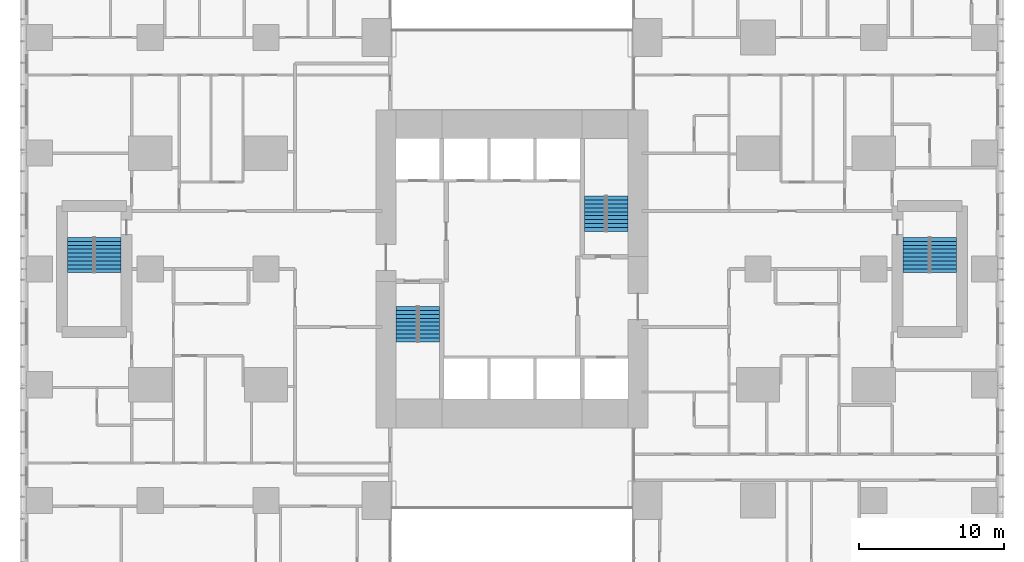
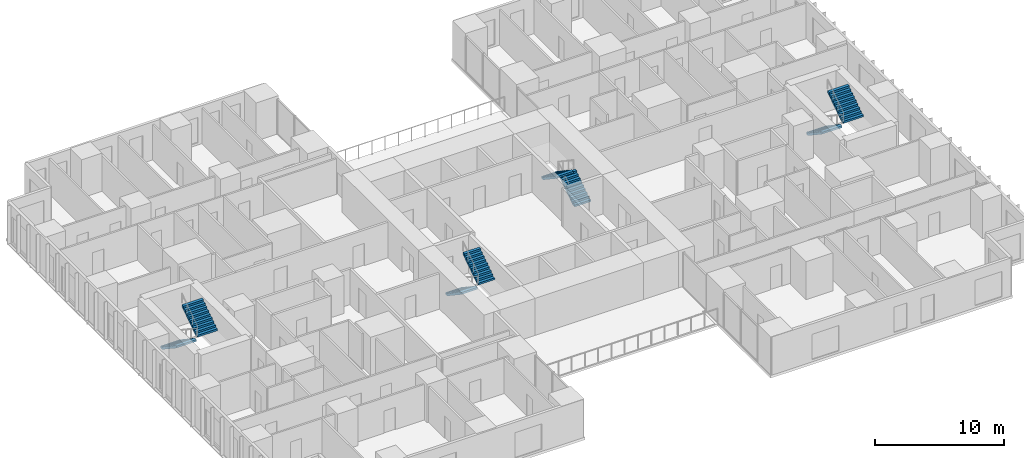
# One storey, part 19 of 20: 8 stair flights, 4 elements without a shape of their own.
"""IFC4 building model written with IfcOpenShell, lengths in metres."""

from ifc_helpers import new_model, si_unit, direction, frame, origin, place, context, subcontext, project, spatial, polyline, outline, extrude, material, type_object, element, aggregate, save


model = new_model("IFC4")

# Units and contexts
model_context = context("Model", 3, precision=1e-05, world=origin(), true_north=direction((0.0, 1.0)))
body_context = subcontext(model_context, "Body", "Model", "MODEL_VIEW")
ifc_project = project(units=[si_unit("LENGTHUNIT", "METRE"), si_unit("AREAUNIT", "SQUARE_METRE"), si_unit("VOLUMEUNIT", "CUBIC_METRE"), si_unit("PLANEANGLEUNIT", "RADIAN"), si_unit("MASSUNIT", "GRAM", prefix="KILO")], contexts=[model_context])

# Site, building, storey
site_placement = place(None, origin())
site = spatial("IfcSite", under=ifc_project, at=site_placement, CompositionType="ELEMENT")
building_placement = place(site_placement, origin())
building = spatial("IfcBuilding", under=site, at=building_placement, Name="Cleftline Residences", CompositionType="ELEMENT")
storey_placement = place(building_placement, frame((0.0, 0.0, 182.199951171875)))
storey = spatial("IfcBuildingStorey", under=building, at=storey_placement, Name="L47", CompositionType="ELEMENT", Elevation=182.199951171875)

# Stair, stair flights
ifc_material_1 = material(Name="Concrete B45, stone treads", Category="masonry")
stair_type_1 = type_object("IfcStairType", Name="STAIR A 1450 WIDE 180 RISER", PredefinedType="HALF_TURN_STAIR", material=ifc_material_1)
stair_1_placement = place(storey_placement, origin())
stair_1 = element("IfcStair", 1, at=stair_1_placement, inside=storey, type_object=stair_type_1, Name="Stair A L47", PredefinedType="HALF_TURN_STAIR")
ifc_material_2 = material(Name="Concrete B45", Category="concrete")
stair_flight_type_1 = type_object("IfcStairFlightType", Name="STAIR A FLIGHT 1450X180", PredefinedType="STRAIGHT", material=ifc_material_2)
stair_flight_1_placement = place(storey_placement, frame((25.72509765625, 21.39990234375, 0.0), z_axis=(0.0, 0.0, 1.0), x_axis=(0.0, -1.0, 0.0)))
stair_flight_1 = element("IfcStairFlight", 2, at=stair_flight_1_placement, type_object=stair_flight_type_1, Name="ST-A flight 1", NumberOfRisers=10, NumberOfTreads=9, PredefinedType="STRAIGHT", RiserHeight=0.18, TreadLength=0.27, context=body_context, shape_type="SweptSolid", body=[
    extrude(outline(polyline([(0.0, 0.0), (0.0, 0.013916015625), (0.0, 0.027587890625), (0.0, 0.04150390625), (0.0, 0.055419921875), (0.0, 0.0693359375), (0.0, 0.0830078125), (0.0, 0.096923828125), (0.0, 0.11083984375), (0.0, 0.12451171875), (0.0, 0.138427734375), (0.0, 0.15234375), (0.0, 0.166259765625), (0.0, 0.179931640625), (0.27001953125, 0.179931640625), (0.27001953125, 0.360107421875), (0.5400390625, 0.360107421875), (0.5400390625, 0.5400390625), (0.81005859375, 0.5400390625), (0.81005859375, 0.719970703125), (1.080078125, 0.719970703125), (1.080078125, 0.89990234375), (1.35009765625, 0.89990234375), (1.35009765625, 1.080078125), (1.6201171875, 1.080078125), (1.6201171875, 1.260009765625), (1.889892578125, 1.260009765625), (1.889892578125, 1.43994140625), (2.159912109375, 1.43994140625), (2.159912109375, 1.6201171875), (2.429931640625, 1.6201171875), (2.429931640625, 1.800048828125), (2.429931640625, 1.772216796875), (2.429931640625, 1.74462890625), (2.429931640625, 1.716796875), (2.429931640625, 1.689208984375), (2.429931640625, 1.661376953125), (2.429931640625, 1.6337890625), (2.429931640625, 1.60595703125), (2.429931640625, 1.578369140625), (2.429931640625, 1.550537109375), (2.429931640625, 1.52294921875), (2.429931640625, 1.495361328125), (2.429931640625, 1.467529296875), (2.429931640625, 1.43994140625), (0.270263671875, 0.0), (0.0, 0.0)])), frame((0.0, 0.72509765625, 0.0), z_axis=(0.0, -1.0, 0.0), x_axis=(1.0, 0.0, 0.0)), (0.0, 0.0, 1.0), 1.449951171875),
])
stair_flight_2_placement = place(storey_placement, frame((27.27490234375, 18.969970703125, 1.800048828125), z_axis=(0.0, 0.0, 1.0), x_axis=(0.0, 1.0, 0.0)))
stair_flight_2 = element("IfcStairFlight", 3, at=stair_flight_2_placement, type_object=stair_flight_type_1, Name="ST-A flight 2", NumberOfRisers=10, NumberOfTreads=9, PredefinedType="STRAIGHT", RiserHeight=0.18, TreadLength=0.27, context=body_context, shape_type="SweptSolid", body=[
    extrude(outline(polyline([(0.0, 0.0), (0.0, 0.013916015625), (0.0, 0.027587890625), (0.0, 0.04150390625), (0.0, 0.055419921875), (0.0, 0.0693359375), (0.0, 0.0830078125), (0.0, 0.096923828125), (0.0, 0.11083984375), (0.0, 0.12451171875), (0.0, 0.138427734375), (0.0, 0.15234375), (0.0, 0.166259765625), (0.0, 0.179931640625), (0.27001953125, 0.179931640625), (0.27001953125, 0.360107421875), (0.5400390625, 0.360107421875), (0.5400390625, 0.5400390625), (0.81005859375, 0.5400390625), (0.81005859375, 0.719970703125), (1.080078125, 0.719970703125), (1.080078125, 0.89990234375), (1.35009765625, 0.89990234375), (1.35009765625, 1.080078125), (1.6201171875, 1.080078125), (1.6201171875, 1.260009765625), (1.889892578125, 1.260009765625), (1.889892578125, 1.43994140625), (2.159912109375, 1.43994140625), (2.159912109375, 1.6201171875), (2.429931640625, 1.6201171875), (2.429931640625, 1.800048828125), (2.429931640625, 1.772216796875), (2.429931640625, 1.74462890625), (2.429931640625, 1.716796875), (2.429931640625, 1.689208984375), (2.429931640625, 1.661376953125), (2.429931640625, 1.6337890625), (2.429931640625, 1.60595703125), (2.429931640625, 1.578369140625), (2.429931640625, 1.550537109375), (2.429931640625, 1.52294921875), (2.429931640625, 1.495361328125), (2.429931640625, 1.467529296875), (2.429931640625, 1.43994140625), (0.270263671875, 0.0), (0.0, 0.0)])), frame((0.0, 0.72509765625, 0.0), z_axis=(0.0, -1.0, 0.0), x_axis=(1.0, 0.0, 0.0)), (0.0, 0.0, 1.0), 1.449951171875),
])
aggregate(stair_1, [stair_flight_1, stair_flight_2])

ifc_material_3 = material(Name="Concrete B45, stone treads", Category="masonry")
stair_type_2 = type_object("IfcStairType", Name="STAIR B 1450 WIDE 180 RISER", PredefinedType="HALF_TURN_STAIR", material=ifc_material_3)
stair_2_placement = place(storey_placement, origin())
stair_2 = element("IfcStair", 4, at=stair_2_placement, inside=storey, type_object=stair_type_2, Name="Stair B L47", PredefinedType="HALF_TURN_STAIR")
ifc_material_4 = material(Name="Concrete B45", Category="concrete")
stair_flight_type_2 = type_object("IfcStairFlightType", Name="STAIR B FLIGHT 1450X180", PredefinedType="STRAIGHT", material=ifc_material_4)
stair_flight_3_placement = place(storey_placement, frame((40.27490234375, 26.60009765625, 0.0), z_axis=(0.0, 0.0, 1.0), x_axis=(0.0, 1.0, 0.0)))
stair_flight_3 = element("IfcStairFlight", 5, at=stair_flight_3_placement, type_object=stair_flight_type_2, Name="ST-B flight 1", NumberOfRisers=10, NumberOfTreads=9, PredefinedType="STRAIGHT", RiserHeight=0.18, TreadLength=0.27, context=body_context, shape_type="SweptSolid", body=[
    extrude(outline(polyline([(0.0, 0.0), (0.0, 0.013916015625), (0.0, 0.027587890625), (0.0, 0.04150390625), (0.0, 0.055419921875), (0.0, 0.0693359375), (0.0, 0.0830078125), (0.0, 0.096923828125), (0.0, 0.11083984375), (0.0, 0.12451171875), (0.0, 0.138427734375), (0.0, 0.15234375), (0.0, 0.166259765625), (0.0, 0.179931640625), (0.27001953125, 0.179931640625), (0.27001953125, 0.360107421875), (0.5400390625, 0.360107421875), (0.5400390625, 0.5400390625), (0.81005859375, 0.5400390625), (0.81005859375, 0.719970703125), (1.080078125, 0.719970703125), (1.080078125, 0.89990234375), (1.35009765625, 0.89990234375), (1.35009765625, 1.080078125), (1.6201171875, 1.080078125), (1.6201171875, 1.260009765625), (1.889892578125, 1.260009765625), (1.889892578125, 1.43994140625), (2.159912109375, 1.43994140625), (2.159912109375, 1.6201171875), (2.429931640625, 1.6201171875), (2.429931640625, 1.800048828125), (2.429931640625, 1.772216796875), (2.429931640625, 1.74462890625), (2.429931640625, 1.716796875), (2.429931640625, 1.689208984375), (2.429931640625, 1.661376953125), (2.429931640625, 1.6337890625), (2.429931640625, 1.60595703125), (2.429931640625, 1.578369140625), (2.429931640625, 1.550537109375), (2.429931640625, 1.52294921875), (2.429931640625, 1.495361328125), (2.429931640625, 1.467529296875), (2.429931640625, 1.43994140625), (0.270263671875, 0.0), (0.0, 0.0)])), frame((0.0, 0.72509765625, 0.0), z_axis=(0.0, -1.0, 0.0), x_axis=(1.0, 0.0, 0.0)), (0.0, 0.0, 1.0), 1.449951171875),
])
stair_flight_4_placement = place(storey_placement, frame((38.72509765625, 29.030029296875, 1.800048828125), z_axis=(0.0, 0.0, 1.0), x_axis=(0.0, -1.0, 0.0)))
stair_flight_4 = element("IfcStairFlight", 6, at=stair_flight_4_placement, type_object=stair_flight_type_2, Name="ST-B flight 2", NumberOfRisers=10, NumberOfTreads=9, PredefinedType="STRAIGHT", RiserHeight=0.18, TreadLength=0.27, context=body_context, shape_type="SweptSolid", body=[
    extrude(outline(polyline([(0.0, 0.0), (0.0, 0.013916015625), (0.0, 0.027587890625), (0.0, 0.04150390625), (0.0, 0.055419921875), (0.0, 0.0693359375), (0.0, 0.0830078125), (0.0, 0.096923828125), (0.0, 0.11083984375), (0.0, 0.12451171875), (0.0, 0.138427734375), (0.0, 0.15234375), (0.0, 0.166259765625), (0.0, 0.179931640625), (0.27001953125, 0.179931640625), (0.27001953125, 0.360107421875), (0.5400390625, 0.360107421875), (0.5400390625, 0.5400390625), (0.81005859375, 0.5400390625), (0.81005859375, 0.719970703125), (1.080078125, 0.719970703125), (1.080078125, 0.89990234375), (1.35009765625, 0.89990234375), (1.35009765625, 1.080078125), (1.6201171875, 1.080078125), (1.6201171875, 1.260009765625), (1.889892578125, 1.260009765625), (1.889892578125, 1.43994140625), (2.159912109375, 1.43994140625), (2.159912109375, 1.6201171875), (2.429931640625, 1.6201171875), (2.429931640625, 1.800048828125), (2.429931640625, 1.772216796875), (2.429931640625, 1.74462890625), (2.429931640625, 1.716796875), (2.429931640625, 1.689208984375), (2.429931640625, 1.661376953125), (2.429931640625, 1.6337890625), (2.429931640625, 1.60595703125), (2.429931640625, 1.578369140625), (2.429931640625, 1.550537109375), (2.429931640625, 1.52294921875), (2.429931640625, 1.495361328125), (2.429931640625, 1.467529296875), (2.429931640625, 1.43994140625), (0.270263671875, 0.0), (0.0, 0.0)])), frame((0.0, 0.72509765625, 0.0), z_axis=(0.0, -1.0, 0.0), x_axis=(1.0, 0.0, 0.0)), (0.0, 0.0, 1.0), 1.449951171875),
])
aggregate(stair_2, [stair_flight_3, stair_flight_4])

ifc_material_5 = material(Name="Concrete B45, stone treads", Category="masonry")
stair_type_3 = type_object("IfcStairType", Name="STAIR E 1800 WIDE 180 RISER", PredefinedType="HALF_TURN_STAIR", material=ifc_material_5)
stair_3_placement = place(storey_placement, origin())
stair_3 = element("IfcStair", 7, at=stair_3_placement, inside=storey, type_object=stair_type_3, Name="Stair E L47", PredefinedType="HALF_TURN_STAIR")
ifc_material_6 = material(Name="Concrete B45", Category="concrete")
stair_flight_type_3 = type_object("IfcStairFlightType", Name="STAIR E FLIGHT 1800X180", PredefinedType="STRAIGHT", material=ifc_material_6)
stair_flight_5_placement = place(storey_placement, frame((60.925048828125, 26.175048828125, 0.0), z_axis=(0.0, 0.0, 1.0), x_axis=(0.0, -1.0, 0.0)))
stair_flight_5 = element("IfcStairFlight", 8, at=stair_flight_5_placement, type_object=stair_flight_type_3, Name="ST-E flight 1", NumberOfRisers=10, NumberOfTreads=9, PredefinedType="STRAIGHT", RiserHeight=0.18, TreadLength=0.27, context=body_context, shape_type="SweptSolid", body=[
    extrude(outline(polyline([(0.0, 0.0), (0.0, 0.013916015625), (0.0, 0.027587890625), (0.0, 0.04150390625), (0.0, 0.055419921875), (0.0, 0.0693359375), (0.0, 0.0830078125), (0.0, 0.096923828125), (0.0, 0.11083984375), (0.0, 0.12451171875), (0.0, 0.138427734375), (0.0, 0.15234375), (0.0, 0.166259765625), (0.0, 0.179931640625), (0.27001953125, 0.179931640625), (0.27001953125, 0.360107421875), (0.5400390625, 0.360107421875), (0.5400390625, 0.5400390625), (0.81005859375, 0.5400390625), (0.81005859375, 0.719970703125), (1.080078125, 0.719970703125), (1.080078125, 0.89990234375), (1.35009765625, 0.89990234375), (1.35009765625, 1.080078125), (1.6201171875, 1.080078125), (1.6201171875, 1.260009765625), (1.889892578125, 1.260009765625), (1.889892578125, 1.43994140625), (2.159912109375, 1.43994140625), (2.159912109375, 1.6201171875), (2.429931640625, 1.6201171875), (2.429931640625, 1.800048828125), (2.429931640625, 1.772216796875), (2.429931640625, 1.74462890625), (2.429931640625, 1.716796875), (2.429931640625, 1.689208984375), (2.429931640625, 1.661376953125), (2.429931640625, 1.6337890625), (2.429931640625, 1.60595703125), (2.429931640625, 1.578369140625), (2.429931640625, 1.550537109375), (2.429931640625, 1.52294921875), (2.429931640625, 1.495361328125), (2.429931640625, 1.467529296875), (2.429931640625, 1.43994140625), (0.270263671875, 0.0), (0.0, 0.0)])), frame((0.0, 0.89990234375, 0.0), z_axis=(0.0, -1.0, 0.0), x_axis=(1.0, 0.0, 0.0)), (0.0, 0.0, 1.0), 1.800048828125),
])
stair_flight_6_placement = place(storey_placement, frame((62.824951171875, 23.7451171875, 1.800048828125), z_axis=(0.0, 0.0, 1.0), x_axis=(0.0, 1.0, 0.0)))
stair_flight_6 = element("IfcStairFlight", 9, at=stair_flight_6_placement, type_object=stair_flight_type_3, Name="ST-E flight 2", NumberOfRisers=10, NumberOfTreads=9, PredefinedType="STRAIGHT", RiserHeight=0.18, TreadLength=0.27, context=body_context, shape_type="SweptSolid", body=[
    extrude(outline(polyline([(0.0, 0.0), (0.0, 0.013916015625), (0.0, 0.027587890625), (0.0, 0.04150390625), (0.0, 0.055419921875), (0.0, 0.0693359375), (0.0, 0.0830078125), (0.0, 0.096923828125), (0.0, 0.11083984375), (0.0, 0.12451171875), (0.0, 0.138427734375), (0.0, 0.15234375), (0.0, 0.166259765625), (0.0, 0.179931640625), (0.27001953125, 0.179931640625), (0.27001953125, 0.360107421875), (0.5400390625, 0.360107421875), (0.5400390625, 0.5400390625), (0.81005859375, 0.5400390625), (0.81005859375, 0.719970703125), (1.080078125, 0.719970703125), (1.080078125, 0.89990234375), (1.35009765625, 0.89990234375), (1.35009765625, 1.080078125), (1.6201171875, 1.080078125), (1.6201171875, 1.260009765625), (1.889892578125, 1.260009765625), (1.889892578125, 1.43994140625), (2.159912109375, 1.43994140625), (2.159912109375, 1.6201171875), (2.429931640625, 1.6201171875), (2.429931640625, 1.800048828125), (2.429931640625, 1.772216796875), (2.429931640625, 1.74462890625), (2.429931640625, 1.716796875), (2.429931640625, 1.689208984375), (2.429931640625, 1.661376953125), (2.429931640625, 1.6337890625), (2.429931640625, 1.60595703125), (2.429931640625, 1.578369140625), (2.429931640625, 1.550537109375), (2.429931640625, 1.52294921875), (2.429931640625, 1.495361328125), (2.429931640625, 1.467529296875), (2.429931640625, 1.43994140625), (0.270263671875, 0.0), (0.0, 0.0)])), frame((0.0, 0.89990234375, 0.0), z_axis=(0.0, -1.0, 0.0), x_axis=(1.0, 0.0, 0.0)), (0.0, 0.0, 1.0), 1.800048828125),
])
aggregate(stair_3, [stair_flight_5, stair_flight_6])

ifc_material_7 = material(Name="Concrete B45, stone treads", Category="masonry")
stair_type_4 = type_object("IfcStairType", Name="STAIR W 1800 WIDE 180 RISER", PredefinedType="HALF_TURN_STAIR", material=ifc_material_7)
stair_4_placement = place(storey_placement, origin())
stair_4 = element("IfcStair", 10, at=stair_4_placement, inside=storey, type_object=stair_type_4, Name="Stair W L47", PredefinedType="HALF_TURN_STAIR")
ifc_material_8 = material(Name="Concrete B45", Category="concrete")
stair_flight_type_4 = type_object("IfcStairFlightType", Name="STAIR W FLIGHT 1800X180", PredefinedType="STRAIGHT", material=ifc_material_8)
stair_flight_7_placement = place(storey_placement, frame((3.175048828125, 26.175048828125, 0.0), z_axis=(0.0, 0.0, 1.0), x_axis=(0.0, -1.0, 0.0)))
stair_flight_7 = element("IfcStairFlight", 11, at=stair_flight_7_placement, type_object=stair_flight_type_4, Name="ST-W flight 1", NumberOfRisers=10, NumberOfTreads=9, PredefinedType="STRAIGHT", RiserHeight=0.18, TreadLength=0.27, context=body_context, shape_type="SweptSolid", body=[
    extrude(outline(polyline([(0.0, 0.0), (0.0, 0.013916015625), (0.0, 0.027587890625), (0.0, 0.04150390625), (0.0, 0.055419921875), (0.0, 0.0693359375), (0.0, 0.0830078125), (0.0, 0.096923828125), (0.0, 0.11083984375), (0.0, 0.12451171875), (0.0, 0.138427734375), (0.0, 0.15234375), (0.0, 0.166259765625), (0.0, 0.179931640625), (0.27001953125, 0.179931640625), (0.27001953125, 0.360107421875), (0.5400390625, 0.360107421875), (0.5400390625, 0.5400390625), (0.81005859375, 0.5400390625), (0.81005859375, 0.719970703125), (1.080078125, 0.719970703125), (1.080078125, 0.89990234375), (1.35009765625, 0.89990234375), (1.35009765625, 1.080078125), (1.6201171875, 1.080078125), (1.6201171875, 1.260009765625), (1.889892578125, 1.260009765625), (1.889892578125, 1.43994140625), (2.159912109375, 1.43994140625), (2.159912109375, 1.6201171875), (2.429931640625, 1.6201171875), (2.429931640625, 1.800048828125), (2.429931640625, 1.772216796875), (2.429931640625, 1.74462890625), (2.429931640625, 1.716796875), (2.429931640625, 1.689208984375), (2.429931640625, 1.661376953125), (2.429931640625, 1.6337890625), (2.429931640625, 1.60595703125), (2.429931640625, 1.578369140625), (2.429931640625, 1.550537109375), (2.429931640625, 1.52294921875), (2.429931640625, 1.495361328125), (2.429931640625, 1.467529296875), (2.429931640625, 1.43994140625), (0.270263671875, 0.0), (0.0, 0.0)])), frame((0.0, 0.89990234375, 0.0), z_axis=(0.0, -1.0, 0.0), x_axis=(1.0, 0.0, 0.0)), (0.0, 0.0, 1.0), 1.800048828125),
])
stair_flight_8_placement = place(storey_placement, frame((5.074951171875, 23.7451171875, 1.800048828125), z_axis=(0.0, 0.0, 1.0), x_axis=(0.0, 1.0, 0.0)))
stair_flight_8 = element("IfcStairFlight", 12, at=stair_flight_8_placement, type_object=stair_flight_type_4, Name="ST-W flight 2", NumberOfRisers=10, NumberOfTreads=9, PredefinedType="STRAIGHT", RiserHeight=0.18, TreadLength=0.27, context=body_context, shape_type="SweptSolid", body=[
    extrude(outline(polyline([(0.0, 0.0), (0.0, 0.013916015625), (0.0, 0.027587890625), (0.0, 0.04150390625), (0.0, 0.055419921875), (0.0, 0.0693359375), (0.0, 0.0830078125), (0.0, 0.096923828125), (0.0, 0.11083984375), (0.0, 0.12451171875), (0.0, 0.138427734375), (0.0, 0.15234375), (0.0, 0.166259765625), (0.0, 0.179931640625), (0.27001953125, 0.179931640625), (0.27001953125, 0.360107421875), (0.5400390625, 0.360107421875), (0.5400390625, 0.5400390625), (0.81005859375, 0.5400390625), (0.81005859375, 0.719970703125), (1.080078125, 0.719970703125), (1.080078125, 0.89990234375), (1.35009765625, 0.89990234375), (1.35009765625, 1.080078125), (1.6201171875, 1.080078125), (1.6201171875, 1.260009765625), (1.889892578125, 1.260009765625), (1.889892578125, 1.43994140625), (2.159912109375, 1.43994140625), (2.159912109375, 1.6201171875), (2.429931640625, 1.6201171875), (2.429931640625, 1.800048828125), (2.429931640625, 1.772216796875), (2.429931640625, 1.74462890625), (2.429931640625, 1.716796875), (2.429931640625, 1.689208984375), (2.429931640625, 1.661376953125), (2.429931640625, 1.6337890625), (2.429931640625, 1.60595703125), (2.429931640625, 1.578369140625), (2.429931640625, 1.550537109375), (2.429931640625, 1.52294921875), (2.429931640625, 1.495361328125), (2.429931640625, 1.467529296875), (2.429931640625, 1.43994140625), (0.270263671875, 0.0), (0.0, 0.0)])), frame((0.0, 0.89990234375, 0.0), z_axis=(0.0, -1.0, 0.0), x_axis=(1.0, 0.0, 0.0)), (0.0, 0.0, 1.0), 1.800048828125),
])
aggregate(stair_4, [stair_flight_7, stair_flight_8])

save(model, "model.ifc")
